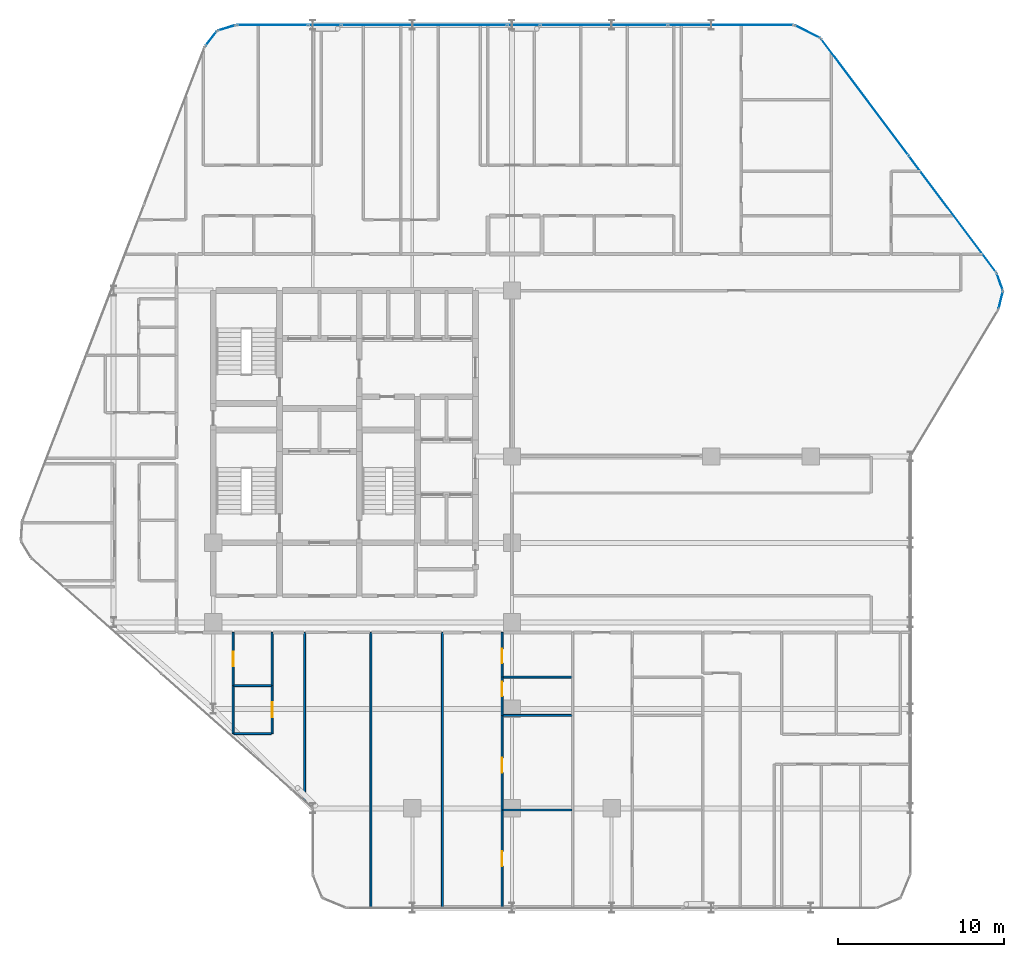
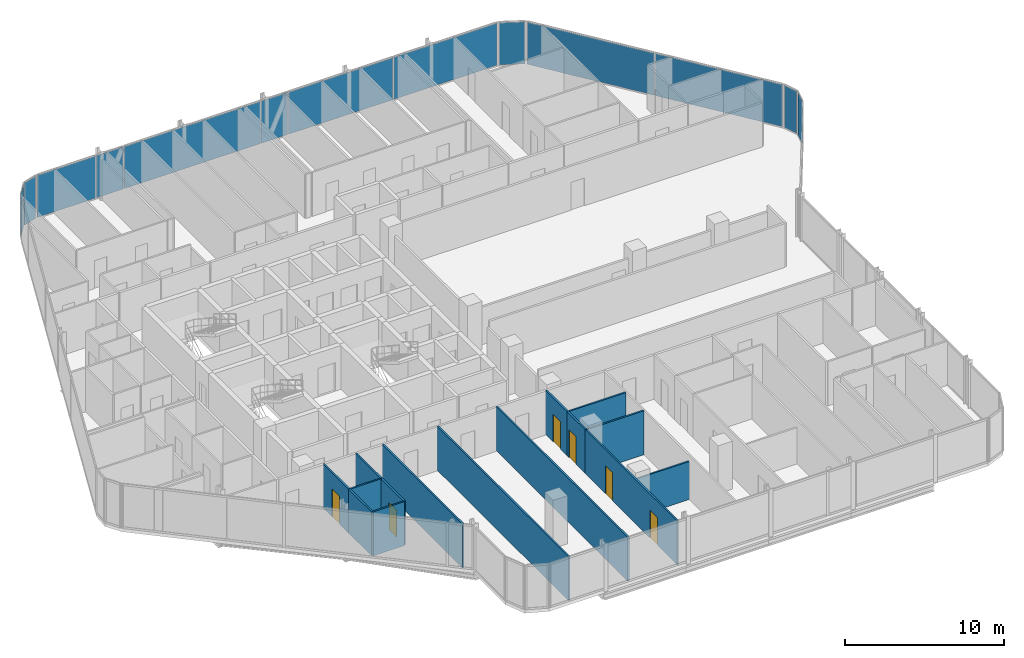
# One storey, part 23 of 30: 15 walls, 13 plates, 6 doors, 6 openings, 11 elements without a shape of their own.
"""IFC4 building model written with IfcOpenShell, lengths in metres."""

from ifc_helpers import new_model, si_unit, direction, frame, frame_2d, origin, origin_2d, place, context, subcontext, project, spatial, rectangle, extrude, material, layer, layer_set, type_object, element, fill, aggregate, save


model = new_model("IFC4")

# Units and contexts
model_context = context("Model", 3, precision=1e-05, world=origin(), true_north=direction((0.0, 1.0)))
body_context = subcontext(model_context, "Body", "Model", "MODEL_VIEW")
ifc_project = project(units=[si_unit("LENGTHUNIT", "METRE"), si_unit("AREAUNIT", "SQUARE_METRE"), si_unit("VOLUMEUNIT", "CUBIC_METRE"), si_unit("PLANEANGLEUNIT", "RADIAN"), si_unit("MASSUNIT", "GRAM", prefix="KILO")], contexts=[model_context])

# Site, building, storey
site_placement = place(None, origin())
site = spatial("IfcSite", under=ifc_project, at=site_placement, CompositionType="ELEMENT")
building_placement = place(site_placement, origin())
building = spatial("IfcBuilding", under=site, at=building_placement, Name="Keshet Zoharim Tower", CompositionType="ELEMENT")
storey_placement = place(building_placement, frame((0.0, 0.0, 113.10009765625)))
storey = spatial("IfcBuildingStorey", under=building, at=storey_placement, Name="L27", CompositionType="ELEMENT", Elevation=113.10009765625)

# Curtain wall, plate
ifc_material_1 = material(Name="Aluminium 6063-T6", Category="aluminium")
ifc_layer_1 = layer(ifc_material_1, 0.159912109375)
ifc_layer_set_1 = layer_set([ifc_layer_1], Name="Aluminium 6063-T6")
curtain_wall_type = type_object("IfcCurtainWallType", Name="CW-SYS-03", PredefinedType="NOTDEFINED", material=ifc_layer_set_1)
curtain_wall_1_placement = place(storey_placement, origin())
curtain_wall_1 = element("IfcCurtainWall", 1, at=curtain_wall_1_placement, inside=storey, type_object=curtain_wall_type, Name="L27 Unitised Curtain Wall 11", PredefinedType="NOTDEFINED")
ifc_material_2 = material(Name="Insulated Low-E Clear Glass", Category="glass")
ifc_layer_2 = layer(ifc_material_2, 0.035888671875)
ifc_layer_set_2 = layer_set([ifc_layer_2], Name="Insulated Low-E Clear Glass")
plate_type_1 = type_object("IfcPlateType", Name="CWP-01", PredefinedType="CURTAIN_PANEL", material=ifc_layer_set_2)
plate_1_placement = place(storey_placement, frame((14.8740234375, 53.08349609375, 0.06982421875), z_axis=(0.0, 0.0, 1.0), x_axis=(0.619124525989, 0.785292825205, 0.0)))
plate_1 = element("IfcPlate", 2, at=plate_1_placement, type_object=plate_type_1, Name="CW-03 panel 1.1", PredefinedType="CURTAIN_PANEL", context=body_context, shape_type="SweptSolid", body=[
    extrude(rectangle(XDim=1.045654296875, YDim=0.035888671875, at=origin_2d()), origin(), (0.0, 0.0, 1.0), 3.2451171875),
])
aggregate(curtain_wall_1, [plate_1])

curtain_wall_2_placement = place(storey_placement, origin())
curtain_wall_2 = element("IfcCurtainWall", 3, at=curtain_wall_2_placement, inside=storey, type_object=curtain_wall_type, Name="L27 Unitised Curtain Wall 12", PredefinedType="NOTDEFINED")
plate_2_placement = place(storey_placement, frame((15.8076171875, 53.724609375, 0.06982421875), z_axis=(0.0, 0.0, 1.0), x_axis=(0.955212151288, 0.295921857984, 0.0)))
plate_2 = element("IfcPlate", 4, at=plate_2_placement, type_object=plate_type_1, Name="CW-03 panel 1.1", PredefinedType="CURTAIN_PANEL", context=body_context, shape_type="SweptSolid", body=[
    extrude(rectangle(XDim=1.046142578125, YDim=0.035888671875, at=origin_2d()), origin(), (0.0, 0.0, 1.0), 3.2451171875),
])
aggregate(curtain_wall_2, [plate_2])

curtain_wall_3_placement = place(storey_placement, origin())
curtain_wall_3 = element("IfcCurtainWall", 5, at=curtain_wall_3_placement, inside=storey, type_object=curtain_wall_type, Name="L27 Unitised Curtain Wall 13", PredefinedType="NOTDEFINED")
ifc_layer_3 = layer(ifc_material_2, 0.031982421875)
ifc_layer_set_3 = layer_set([ifc_layer_3], Name="Insulated Low-E Clear Glass")
plate_type_2 = type_object("IfcPlateType", Name="CWP-02", PredefinedType="CURTAIN_PANEL", material=ifc_layer_set_3)
plate_3_placement = place(storey_placement, frame((18.56298828125, 53.89990234375, 0.06982421875), z_axis=(0.0, 0.0, 1.0), x_axis=(1.0, 0.0, 0.0)))
plate_3 = element("IfcPlate", 6, at=plate_3_placement, type_object=plate_type_2, Name="CW-03 panel 1.1", PredefinedType="CURTAIN_PANEL", context=body_context, shape_type="SweptSolid", body=[
    extrude(rectangle(XDim=4.23779296875, YDim=0.031982421875, at=origin_2d()), origin(), (0.0, 0.0, 1.0), 3.2451171875),
])
aggregate(curtain_wall_3, [plate_3])

curtain_wall_4_placement = place(storey_placement, origin())
curtain_wall_4 = element("IfcCurtainWall", 7, at=curtain_wall_4_placement, inside=storey, type_object=curtain_wall_type, Name="L27 Unitised Curtain Wall 13 Part 3", PredefinedType="NOTDEFINED")
plate_4_placement = place(storey_placement, frame((27.715087890625, 53.89990234375, 0.06982421875), z_axis=(0.0, 0.0, 1.0), x_axis=(1.0, 0.0, 0.0)))
plate_4 = element("IfcPlate", 8, at=plate_4_placement, type_object=plate_type_2, Name="CW-03 panel 1.1", PredefinedType="CURTAIN_PANEL", context=body_context, shape_type="SweptSolid", body=[
    extrude(rectangle(XDim=9.933837890625, YDim=0.031982421875, at=origin_2d()), origin(), (0.0, 0.0, 1.0), 3.2451171875),
])
aggregate(curtain_wall_4, [plate_4])

# Curtain wall, plates
curtain_wall_5_placement = place(storey_placement, origin())
curtain_wall_5 = element("IfcCurtainWall", 9, at=curtain_wall_5_placement, inside=storey, type_object=curtain_wall_type, Name="L27 Unitised Curtain Wall 13 Part 5", PredefinedType="NOTDEFINED")
plate_5_placement = place(storey_placement, frame((38.54345703125, 53.89990234375, 0.06982421875), z_axis=(0.0, 0.0, 1.0), x_axis=(1.0, 0.0, 0.0)))
plate_5 = element("IfcPlate", 10, at=plate_5_placement, type_object=plate_type_2, Name="CW-03 panel 1.1", PredefinedType="CURTAIN_PANEL", context=body_context, shape_type="SweptSolid", body=[
    extrude(rectangle(XDim=7.591064453125, YDim=0.031982421875, at=origin_2d()), origin(), (0.0, 0.0, 1.0), 3.2451171875),
])
plate_6_placement = place(storey_placement, frame((46.16943359375, 53.89990234375, 0.06982421875), z_axis=(0.0, 0.0, 1.0), x_axis=(1.0, 0.0, 0.0)))
plate_6 = element("IfcPlate", 11, at=plate_6_placement, type_object=plate_type_2, Name="CW-03 panel 2.1", PredefinedType="CURTAIN_PANEL", context=body_context, shape_type="SweptSolid", body=[
    extrude(rectangle(XDim=7.52099609375, YDim=0.031982421875, at=origin_2d()), origin(), (0.0, 0.0, 1.0), 3.2451171875),
])
aggregate(curtain_wall_5, [plate_5, plate_6])

# Curtain wall, plate
curtain_wall_6_placement = place(storey_placement, origin())
curtain_wall_6 = element("IfcCurtainWall", 12, at=curtain_wall_6_placement, inside=storey, type_object=curtain_wall_type, Name="L27 Unitised Curtain Wall 14", PredefinedType="NOTDEFINED")
plate_7_placement = place(storey_placement, frame((50.800048828125, 53.5, 0.06982421875), z_axis=(0.0, 0.0, 1.0), x_axis=(0.894427191001, -0.447213595499, 0.0)))
plate_7 = element("IfcPlate", 13, at=plate_7_placement, type_object=plate_type_2, Name="CW-03 panel 1.1", PredefinedType="CURTAIN_PANEL", context=body_context, shape_type="SweptSolid", body=[
    extrude(rectangle(XDim=1.64892578125, YDim=0.031982421875, at=origin_2d()), origin(), (0.0, 0.0, 1.0), 3.2451171875),
])
aggregate(curtain_wall_6, [plate_7])

# Curtain wall, plates
curtain_wall_7_placement = place(storey_placement, origin())
curtain_wall_7 = element("IfcCurtainWall", 14, at=curtain_wall_7_placement, inside=storey, type_object=curtain_wall_type, Name="L27 Unitised Curtain Wall 15", PredefinedType="NOTDEFINED")
plate_8_placement = place(storey_placement, frame((54.2587890625, 49.554931640625, 0.06982421875), z_axis=(0.0, 0.0, 1.0), x_axis=(0.600000000002, -0.799999999998, 0.0)))
plate_8 = element("IfcPlate", 15, at=plate_8_placement, type_object=plate_type_2, Name="CW-03 panel 1.1", PredefinedType="CURTAIN_PANEL", context=body_context, shape_type="SweptSolid", body=[
    extrude(rectangle(XDim=8.722412109375, YDim=0.031982421875, at=origin_2d()), origin(), (0.0, 0.0, 1.0), 3.2451171875),
])
plate_9_placement = place(storey_placement, frame((59.5341796875, 42.52099609375, 0.06982421875), z_axis=(0.0, 0.0, 1.0), x_axis=(0.600000000002, -0.799999999998, 0.0)))
plate_9 = element("IfcPlate", 16, at=plate_9_placement, type_object=plate_type_2, Name="CW-03 panel 2.1", PredefinedType="CURTAIN_PANEL", context=body_context, shape_type="SweptSolid", body=[
    extrude(rectangle(XDim=8.722412109375, YDim=0.031982421875, at=origin_2d()), origin(), (0.0, 0.0, 1.0), 3.2451171875),
])
aggregate(curtain_wall_7, [plate_8, plate_9])

# Curtain wall, plate
curtain_wall_8_placement = place(storey_placement, origin())
curtain_wall_8 = element("IfcCurtainWall", 17, at=curtain_wall_8_placement, inside=storey, type_object=curtain_wall_type, Name="L27 Unitised Curtain Wall 16", PredefinedType="NOTDEFINED")
plate_10_placement = place(storey_placement, frame((62.3916015625, 38.427490234375, 0.06982421875), z_axis=(0.0, 0.0, 1.0), x_axis=(0.340297354046, -0.940317877544, 0.0)))
plate_10 = element("IfcPlate", 18, at=plate_10_placement, type_object=plate_type_2, Name="CW-03 panel 1.1", PredefinedType="CURTAIN_PANEL", context=body_context, shape_type="SweptSolid", body=[
    extrude(rectangle(XDim=1.026611328125, YDim=0.031982421875, at=origin_2d()), origin(), (0.0, 0.0, 1.0), 3.2451171875),
])
aggregate(curtain_wall_8, [plate_10])

curtain_wall_9_placement = place(storey_placement, origin())
curtain_wall_9 = element("IfcCurtainWall", 19, at=curtain_wall_9_placement, inside=storey, type_object=curtain_wall_type, Name="L27 Unitised Curtain Wall 17", PredefinedType="NOTDEFINED")
plate_11_placement = place(storey_placement, frame((62.448974609375, 37.31298828125, 0.06982421875), z_axis=(0.0, 0.0, 1.0), x_axis=(-0.241728770141, -0.970343857447, 0.0)))
plate_11 = element("IfcPlate", 20, at=plate_11_placement, type_object=plate_type_2, Name="CW-03 panel 1.1", PredefinedType="CURTAIN_PANEL", context=body_context, shape_type="SweptSolid", body=[
    extrude(rectangle(XDim=1.026611328125, YDim=0.031982421875, at=origin_2d()), origin(), (0.0, 0.0, 1.0), 3.2451171875),
])
aggregate(curtain_wall_9, [plate_11])

curtain_wall_10_placement = place(storey_placement, origin())
curtain_wall_10 = element("IfcCurtainWall", 21, at=curtain_wall_10_placement, inside=storey, type_object=curtain_wall_type, Name="L27 Unitised Curtain Wall 13 Part 2", PredefinedType="NOTDEFINED")
ifc_material_3 = material(Name="Insulated Aluminium Spandrel Panel", Category="aluminium")
ifc_layer_4 = layer(ifc_material_3, 0.031982421875)
ifc_layer_set_4 = layer_set([ifc_layer_4], Name="Insulated Aluminium Spandrel Panel")
plate_type_3 = type_object("IfcPlateType", Name="CWP-05", PredefinedType="CURTAIN_PANEL", material=ifc_layer_set_4)
plate_12_placement = place(storey_placement, frame((21.715087890625, 53.89990234375, 0.06982421875), z_axis=(0.0, 0.0, 1.0), x_axis=(1.0, 0.0, 0.0)))
plate_12 = element("IfcPlate", 22, at=plate_12_placement, type_object=plate_type_3, Name="CW-03 spandrel panel 1.1", PredefinedType="CURTAIN_PANEL", context=body_context, shape_type="SweptSolid", body=[
    extrude(rectangle(XDim=1.92626953125, YDim=0.031982421875, at=origin_2d()), origin(), (0.0, 0.0, 1.0), 3.2451171875),
])
aggregate(curtain_wall_10, [plate_12])

curtain_wall_11_placement = place(storey_placement, origin())
curtain_wall_11 = element("IfcCurtainWall", 23, at=curtain_wall_11_placement, inside=storey, type_object=curtain_wall_type, Name="L27 Unitised Curtain Wall 13 Part 4", PredefinedType="NOTDEFINED")
plate_13_placement = place(storey_placement, frame((33.715087890625, 53.89990234375, 0.06982421875), z_axis=(0.0, 0.0, 1.0), x_axis=(1.0, 0.0, 0.0)))
plate_13 = element("IfcPlate", 24, at=plate_13_placement, type_object=plate_type_3, Name="CW-03 spandrel panel 1.1", PredefinedType="CURTAIN_PANEL", context=body_context, shape_type="SweptSolid", body=[
    extrude(rectangle(XDim=1.92626953125, YDim=0.031982421875, at=origin_2d()), origin(), (0.0, 0.0, 1.0), 3.2451171875),
])
aggregate(curtain_wall_11, [plate_13])

# Wall, opening, door
ifc_material_4 = material(Name="Gypsum Plasterboard", Category="gypsum")
ifc_layer_5 = layer(ifc_material_4, 0.1201171875)
ifc_layer_set_5 = layer_set([ifc_layer_5], Name="Gypsum Plasterboard")
wall_type_1 = type_object("IfcWallType", Name="WL-PART-120", PredefinedType="PARTITIONING", material=ifc_layer_set_5)
wall_1_placement = place(storey_placement, frame((16.199951171875, 14.10009765625, 0.0), z_axis=(0.0, 0.0, 1.0), x_axis=(0.0, 1.0, 0.0)))
wall_1 = element("IfcWall", 25, at=wall_1_placement, inside=storey, type_object=wall_type_1, Name="L27 Interior Wall 024", PredefinedType="PARTITIONING", context=body_context, shape_type="SweptSolid", body=[
    extrude(rectangle(XDim=3.199951171875, YDim=0.1201171875, at=frame_2d((1.60009765625, 0.0))), origin(), (0.0, 0.0, 1.0), 3.385009765625),
])
opening_1_placement = place(wall_1_placement, frame((1.14990234375, 0.0, 0.0)))
opening_1 = element("IfcOpeningElement", 26, at=opening_1_placement, cuts=wall_1, Name="Opening D-IN90", PredefinedType="OPENING", context=body_context, shape_type="SweptSolid", body=[
    extrude(rectangle(XDim=0.89990234375, YDim=2.14990234375, at=frame_2d((0.449951171875, 1.074951171875))), frame((0.0, 0.070068359375, 0.0), z_axis=(0.0, -1.0, 0.0), x_axis=(1.0, 0.0, 0.0)), (0.0, 0.0, 1.0), 0.14013671875),
])
ifc_material_5 = material(Name="Hardwood Timber", Category="wood")
door_type_1 = type_object("IfcDoorType", Name="DR-INT-090", OperationType="NOTDEFINED", PredefinedType="DOOR", material=ifc_material_5)
door_1_placement = place(opening_1_placement, origin())
door_1 = element("IfcDoor", 27, at=door_1_placement, inside=storey, type_object=door_type_1, Name="Apartment 2701 Kitchenette Door", OperationType="SINGLE_SWING_LEFT", OverallHeight=2.14990234375, OverallWidth=0.89990234375, PredefinedType="DOOR", context=body_context, shape_type="SweptSolid", body=[
    extrude(rectangle(XDim=0.89990234375, YDim=2.14990234375, at=frame_2d((0.449951171875, 1.074951171875))), frame((0.0, 0.02490234375, 0.0), z_axis=(0.0, -1.0, 0.0), x_axis=(1.0, 0.0, 0.0)), (0.0, 0.0, 1.0), 0.050048828125),
])
fill(opening_1, door_1)

# Walls
wall_2_placement = place(storey_placement, frame((18.550048828125, 14.10009765625, 0.0), z_axis=(0.0, 0.0, 1.0), x_axis=(0.0, 1.0, 0.0)))
element("IfcWall", 28, at=wall_2_placement, inside=storey, type_object=wall_type_1, Name="L27 Interior Wall 028", PredefinedType="PARTITIONING", context=body_context, shape_type="SweptSolid", body=[
    extrude(rectangle(XDim=3.199951171875, YDim=0.1201171875, at=frame_2d((1.60009765625, 0.0))), origin(), (0.0, 0.0, 1.0), 3.385009765625),
])
wall_3_placement = place(storey_placement, frame((20.5, 7.154052734375, 0.0), z_axis=(0.0, 0.0, 1.0), x_axis=(0.0, 1.0, 0.0)))
element("IfcWall", 29, at=wall_3_placement, inside=storey, type_object=wall_type_1, Name="L27 Interior Wall 034", PredefinedType="PARTITIONING", context=body_context, shape_type="SweptSolid", body=[
    extrude(rectangle(XDim=10.14599609375, YDim=0.1201171875, at=frame_2d((5.072998046875, 0.0))), origin(), (0.0, 0.0, 1.0), 3.385009765625),
])
for number, where, z_axis, x_axis, name in (
    (30, (24.5, 0.7099609375, 0.0), (0.0, 0.0, 1.0), (0.0, 1.0, 0.0), "L27 Interior Wall 048"),
    (31, (28.800048828125, 0.7099609375, 0.0), (0.0, 0.0, 1.0), (0.0, 1.0, 0.0), "L27 Interior Wall 060"),
):
    element("IfcWall", number, at=place(storey_placement, frame(where, z_axis=z_axis, x_axis=x_axis)), inside=storey, type_object=wall_type_1, Name=name, PredefinedType="PARTITIONING", context=body_context, shape_type="SweptSolid", body=[
        extrude(rectangle(XDim=16.590087890625, YDim=0.1201171875, at=frame_2d((8.294921875, 0.0))), origin(), (0.0, 0.0, 1.0), 3.385009765625),
    ])

# Wall, openings, doors
wall_4_placement = place(storey_placement, frame((32.39990234375, 0.7099609375, 0.0), z_axis=(0.0, 0.0, 1.0), x_axis=(0.0, 1.0, 0.0)))
wall_4 = element("IfcWall", 32, at=wall_4_placement, inside=storey, type_object=wall_type_1, Name="L27 Interior Wall 074", PredefinedType="PARTITIONING", context=body_context, shape_type="SweptSolid", body=[
    extrude(rectangle(XDim=11.590087890625, YDim=0.1201171875, at=frame_2d((5.794921875, 0.0))), origin(), (0.0, 0.0, 1.0), 3.385009765625),
])
opening_2_placement = place(wall_4_placement, frame((2.489990234375, 0.0, 0.0)))
opening_2 = element("IfcOpeningElement", 33, at=opening_2_placement, cuts=wall_4, Name="Opening D-IN90", PredefinedType="OPENING", context=body_context, shape_type="SweptSolid", body=[
    extrude(rectangle(XDim=0.89990234375, YDim=2.14990234375, at=frame_2d((0.449951171875, 1.074951171875))), frame((0.0, 0.070068359375, 0.0), z_axis=(0.0, -1.0, 0.0), x_axis=(1.0, 0.0, 0.0)), (0.0, 0.0, 1.0), 0.14013671875),
])
opening_3_placement = place(wall_4_placement, frame((8.133056640625, 0.0, 0.0)))
opening_3 = element("IfcOpeningElement", 34, at=opening_3_placement, cuts=wall_4, Name="Opening D-IN90", PredefinedType="OPENING", context=body_context, shape_type="SweptSolid", body=[
    extrude(rectangle(XDim=0.89990234375, YDim=2.14990234375, at=frame_2d((0.449951171875, 1.074951171875))), frame((0.0, 0.070068359375, 0.0), z_axis=(0.0, -1.0, 0.0), x_axis=(1.0, 0.0, 0.0)), (0.0, 0.0, 1.0), 0.14013671875),
])
door_2_placement = place(opening_2_placement, origin())
door_2 = element("IfcDoor", 35, at=door_2_placement, inside=storey, type_object=door_type_1, Name="Apartment 2702 Bedroom 1 Door", OperationType="SINGLE_SWING_RIGHT", OverallHeight=2.14990234375, OverallWidth=0.89990234375, PredefinedType="DOOR", context=body_context, shape_type="SweptSolid", body=[
    extrude(rectangle(XDim=0.89990234375, YDim=2.14990234375, at=frame_2d((0.449951171875, 1.074951171875))), frame((0.0, 0.02490234375, 0.0), z_axis=(0.0, -1.0, 0.0), x_axis=(1.0, 0.0, 0.0)), (0.0, 0.0, 1.0), 0.050048828125),
])
fill(opening_2, door_2)
door_3_placement = place(opening_3_placement, origin())
door_3 = element("IfcDoor", 36, at=door_3_placement, inside=storey, type_object=door_type_1, Name="Apartment 2702 Bedroom 2 Door", OperationType="SINGLE_SWING_LEFT", OverallHeight=2.14990234375, OverallWidth=0.89990234375, PredefinedType="DOOR", context=body_context, shape_type="SweptSolid", body=[
    extrude(rectangle(XDim=0.89990234375, YDim=2.14990234375, at=frame_2d((0.449951171875, 1.074951171875))), frame((0.0, 0.02490234375, 0.0), z_axis=(0.0, -1.0, 0.0), x_axis=(1.0, 0.0, 0.0)), (0.0, 0.0, 1.0), 0.050048828125),
])
fill(opening_3, door_3)

# Wall, opening, door
wall_5_placement = place(storey_placement, frame((32.39990234375, 12.300048828125, 0.0), z_axis=(0.0, 0.0, 1.0), x_axis=(0.0, 1.0, 0.0)))
wall_5 = element("IfcWall", 37, at=wall_5_placement, inside=storey, type_object=wall_type_1, Name="L27 Interior Wall 075", PredefinedType="PARTITIONING", context=body_context, shape_type="SweptSolid", body=[
    extrude(rectangle(XDim=2.300048828125, YDim=0.1201171875, at=frame_2d((1.14990234375, 0.0))), origin(), (0.0, 0.0, 1.0), 3.385009765625),
])
opening_4_placement = place(wall_5_placement, frame((1.14208984375, 0.0, 0.0)))
opening_4 = element("IfcOpeningElement", 38, at=opening_4_placement, cuts=wall_5, Name="Opening D-IN90", PredefinedType="OPENING", context=body_context, shape_type="SweptSolid", body=[
    extrude(rectangle(XDim=0.89990234375, YDim=2.14990234375, at=frame_2d((0.449951171875, 1.074951171875))), frame((0.0, 0.070068359375, 0.0), z_axis=(0.0, -1.0, 0.0), x_axis=(1.0, 0.0, 0.0)), (0.0, 0.0, 1.0), 0.14013671875),
])
door_4_placement = place(opening_4_placement, origin())
door_4 = element("IfcDoor", 39, at=door_4_placement, inside=storey, type_object=door_type_1, Name="Apartment 2702 Kitchen Door", OperationType="SINGLE_SWING_RIGHT", OverallHeight=2.14990234375, OverallWidth=0.89990234375, PredefinedType="DOOR", context=body_context, shape_type="SweptSolid", body=[
    extrude(rectangle(XDim=0.89990234375, YDim=2.14990234375, at=frame_2d((0.449951171875, 1.074951171875))), frame((0.0, 0.02490234375, 0.0), z_axis=(0.0, -1.0, 0.0), x_axis=(1.0, 0.0, 0.0)), (0.0, 0.0, 1.0), 0.050048828125),
])
fill(opening_4, door_4)

# Walls
wall_6_placement = place(storey_placement, frame((32.445068359375, 6.60009765625, 0.0), z_axis=(0.0, 0.0, 1.0), x_axis=(1.0, 0.0, 0.0)))
element("IfcWall", 40, at=wall_6_placement, inside=storey, type_object=wall_type_1, Name="L27 Interior Wall 115", PredefinedType="PARTITIONING", context=body_context, shape_type="SweptSolid", body=[
    extrude(rectangle(XDim=4.159912109375, YDim=0.1201171875, at=frame_2d((2.080078125, 0.0))), origin(), (0.0, 0.0, 1.0), 2.934814453125),
])
wall_7_placement = place(storey_placement, frame((32.445068359375, 12.300048828125, 0.0), z_axis=(0.0, 0.0, 1.0), x_axis=(1.0, 0.0, 0.0)))
element("IfcWall", 41, at=wall_7_placement, inside=storey, type_object=wall_type_1, Name="L27 Interior Wall 122", PredefinedType="PARTITIONING", context=body_context, shape_type="SweptSolid", body=[
    extrude(rectangle(XDim=4.159912109375, YDim=0.1201171875, at=frame_2d((2.080078125, 0.0))), origin(), (0.0, 0.0, 1.0), 3.385009765625),
])
ifc_layer_6 = layer(ifc_material_4, 0.1201171875)
ifc_layer_set_6 = layer_set([ifc_layer_6], Name="Gypsum Plasterboard")
wall_type_2 = type_object("IfcWallType", Name="WL-WET-120", PredefinedType="PARTITIONING", material=ifc_layer_set_6)
wall_8_placement = place(storey_placement, frame((16.199951171875, 11.199951171875, 0.0), z_axis=(0.0, 0.0, 1.0), x_axis=(0.0, 1.0, 0.0)))
element("IfcWall", 42, at=wall_8_placement, inside=storey, type_object=wall_type_2, Name="L27 Interior Wall 023", PredefinedType="PARTITIONING", context=body_context, shape_type="SweptSolid", body=[
    extrude(rectangle(XDim=2.900146484375, YDim=0.1201171875, at=frame_2d((1.4501953125, 0.0))), origin(), (0.0, 0.0, 1.0), 3.385009765625),
])

# Wall, opening, door
wall_9_placement = place(storey_placement, frame((18.550048828125, 11.199951171875, 0.0), z_axis=(0.0, 0.0, 1.0), x_axis=(0.0, 1.0, 0.0)))
wall_9 = element("IfcWall", 43, at=wall_9_placement, inside=storey, type_object=wall_type_2, Name="L27 Interior Wall 027", PredefinedType="PARTITIONING", context=body_context, shape_type="SweptSolid", body=[
    extrude(rectangle(XDim=2.900146484375, YDim=0.1201171875, at=frame_2d((1.4501953125, 0.0))), origin(), (0.0, 0.0, 1.0), 3.385009765625),
])
opening_5_placement = place(wall_9_placement, frame((1.0, 0.0, 0.0)))
opening_5 = element("IfcOpeningElement", 44, at=opening_5_placement, cuts=wall_9, Name="Opening D-WT90", PredefinedType="OPENING", context=body_context, shape_type="SweptSolid", body=[
    extrude(rectangle(XDim=0.89990234375, YDim=2.10009765625, at=frame_2d((0.449951171875, 1.050048828125))), frame((0.0, 0.070068359375, 0.0), z_axis=(0.0, -1.0, 0.0), x_axis=(1.0, 0.0, 0.0)), (0.0, 0.0, 1.0), 0.14013671875),
])
door_type_2 = type_object("IfcDoorType", Name="DR-WET-090", OperationType="NOTDEFINED", PredefinedType="DOOR", material=ifc_material_5)
door_5_placement = place(opening_5_placement, origin())
door_5 = element("IfcDoor", 45, at=door_5_placement, inside=storey, type_object=door_type_2, Name="Apartment 2701 Bathroom Door", OperationType="SINGLE_SWING_RIGHT", OverallHeight=2.10009765625, OverallWidth=0.89990234375, PredefinedType="DOOR", context=body_context, shape_type="SweptSolid", body=[
    extrude(rectangle(XDim=0.89990234375, YDim=2.10009765625, at=frame_2d((0.449951171875, 1.050048828125))), frame((0.0, 0.02490234375, 0.0), z_axis=(0.0, -1.0, 0.0), x_axis=(1.0, 0.0, 0.0)), (0.0, 0.0, 1.0), 0.050048828125),
])
fill(opening_5, door_5)

wall_10_placement = place(storey_placement, frame((32.39990234375, 14.60009765625, 0.0), z_axis=(0.0, 0.0, 1.0), x_axis=(0.0, 1.0, 0.0)))
wall_10 = element("IfcWall", 46, at=wall_10_placement, inside=storey, type_object=wall_type_2, Name="L27 Interior Wall 076", PredefinedType="PARTITIONING", context=body_context, shape_type="SweptSolid", body=[
    extrude(rectangle(XDim=2.699951171875, YDim=0.1201171875, at=frame_2d((1.35009765625, 0.0))), origin(), (0.0, 0.0, 1.0), 3.385009765625),
])
opening_6_placement = place(wall_10_placement, frame((0.827880859375, 0.0, 0.0)))
opening_6 = element("IfcOpeningElement", 47, at=opening_6_placement, cuts=wall_10, Name="Opening D-WT90", PredefinedType="OPENING", context=body_context, shape_type="SweptSolid", body=[
    extrude(rectangle(XDim=0.89990234375, YDim=2.10009765625, at=frame_2d((0.449951171875, 1.050048828125))), frame((0.0, 0.070068359375, 0.0), z_axis=(0.0, -1.0, 0.0), x_axis=(1.0, 0.0, 0.0)), (0.0, 0.0, 1.0), 0.14013671875),
])
door_6_placement = place(opening_6_placement, origin())
door_6 = element("IfcDoor", 48, at=door_6_placement, inside=storey, type_object=door_type_2, Name="Apartment 2702 Bathroom Door", OperationType="SINGLE_SWING_LEFT", OverallHeight=2.10009765625, OverallWidth=0.89990234375, PredefinedType="DOOR", context=body_context, shape_type="SweptSolid", body=[
    extrude(rectangle(XDim=0.89990234375, YDim=2.10009765625, at=frame_2d((0.449951171875, 1.050048828125))), frame((0.0, 0.02490234375, 0.0), z_axis=(0.0, -1.0, 0.0), x_axis=(1.0, 0.0, 0.0)), (0.0, 0.0, 1.0), 0.050048828125),
])
fill(opening_6, door_6)

# Walls
for number, where, z_axis, x_axis, name in (
    (49, (16.2451171875, 11.199951171875, 0.0), (0.0, 0.0, 1.0), (1.0, 0.0, 0.0), "L27 Interior Wall 121"),
    (50, (16.2451171875, 14.10009765625, 0.0), (0.0, 0.0, 1.0), (1.0, 0.0, 0.0), "L27 Interior Wall 124"),
):
    element("IfcWall", number, at=place(storey_placement, frame(where, z_axis=z_axis, x_axis=x_axis)), inside=storey, type_object=wall_type_2, Name=name, PredefinedType="PARTITIONING", context=body_context, shape_type="SweptSolid", body=[
        extrude(rectangle(XDim=2.259765625, YDim=0.1201171875, at=frame_2d((1.1298828125, 0.0))), origin(), (0.0, 0.0, 1.0), 3.385009765625),
    ])
wall_11_placement = place(storey_placement, frame((32.445068359375, 14.60009765625, 0.0), z_axis=(0.0, 0.0, 1.0), x_axis=(1.0, 0.0, 0.0)))
element("IfcWall", 51, at=wall_11_placement, inside=storey, type_object=wall_type_2, Name="L27 Interior Wall 125", PredefinedType="PARTITIONING", context=body_context, shape_type="SweptSolid", body=[
    extrude(rectangle(XDim=4.159912109375, YDim=0.1201171875, at=frame_2d((2.080078125, 0.0))), origin(), (0.0, 0.0, 1.0), 3.385009765625),
])

save(model, "model.ifc")
